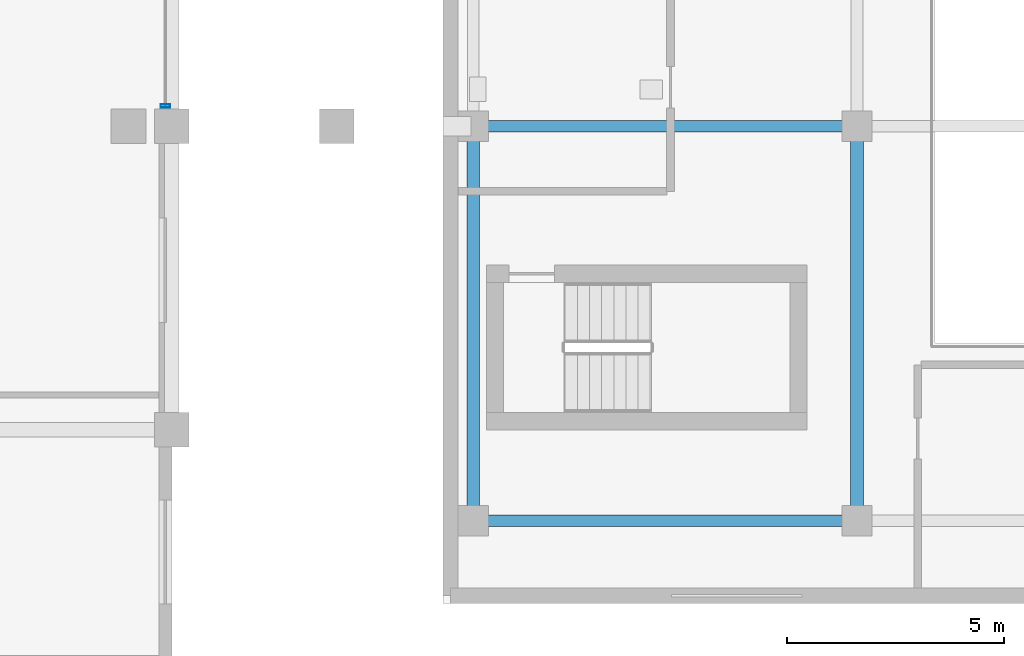
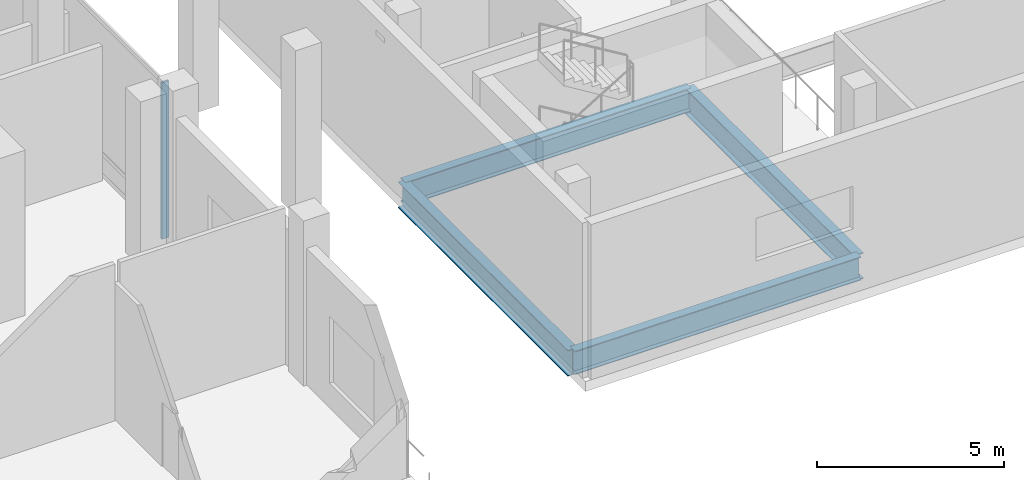
# One storey, part 7 of 32: 4 beams, 1 member, 1 element without a shape of its own.
"""IFC4 building model written with IfcOpenShell, lengths in metres."""

from ifc_helpers import new_model, si_unit, direction, frame, origin, origin_2d, place, context, subcontext, project, spatial, hollow_rectangle, i_section, extrude, material, layer, layer_set, material_profile, profile_set, type_object, element, aggregate, save


model = new_model("IFC4")

# Units and contexts
model_context = context("Model", 3, precision=1e-05, world=origin(), true_north=direction((0.0, 1.0)))
body_context = subcontext(model_context, "Body", "Model", "MODEL_VIEW")
ifc_project = project(units=[si_unit("LENGTHUNIT", "METRE"), si_unit("AREAUNIT", "SQUARE_METRE"), si_unit("VOLUMEUNIT", "CUBIC_METRE"), si_unit("PLANEANGLEUNIT", "RADIAN"), si_unit("MASSUNIT", "GRAM", prefix="KILO")], contexts=[model_context])

# Site, building, storey
site_placement = place(None, origin())
site = spatial("IfcSite", under=ifc_project, at=site_placement, CompositionType="ELEMENT")
building_placement = place(site_placement, origin())
building = spatial("IfcBuilding", under=site, at=building_placement, Name="Barlavira Tower and Art Museum", CompositionType="ELEMENT")
storey_placement = place(building_placement, frame((0.0, 0.0, 6.0)))
storey = spatial("IfcBuildingStorey", under=building, at=storey_placement, Name="L01", CompositionType="ELEMENT", Elevation=6.0)

# Curtain wall, member
ifc_material_1 = material(Name="Low-iron coastal laminated glass", Category="glass")
ifc_layer = layer(ifc_material_1, 0.219970703125, Name="Low-iron coastal laminated glass")
ifc_layer_set = layer_set([ifc_layer], Name="Low-iron coastal laminated glass")
curtain_wall_type = type_object("IfcCurtainWallType", Name="Double-Height Podium Arcade Storefront Curtain Wall", PredefinedType="NOTDEFINED", material=ifc_layer_set)
curtain_wall_placement = place(storey_placement, origin())
curtain_wall = element("IfcCurtainWall", 1, at=curtain_wall_placement, inside=storey, type_object=curtain_wall_type, Name="L01 Curtain Wall CW5-L01-ES", PredefinedType="NOTDEFINED")
ifc_material_2 = material(Name="Pale anodised aluminium", Category="aluminium")
ifc_material_profile_1 = material_profile(ifc_material_2, hollow_rectangle(XDim=0.074951171875, YDim=0.219970703125, WallThickness=0.0048828125, at=origin_2d()), Name="ALU-MULL 75x220x5")
ifc_profile_set_1 = profile_set([ifc_material_profile_1], Name="Pale anodised aluminium")
member_type = type_object("IfcMemberType", Name="Curtain Wall Heavy Pale-Metal Mullion 75x220", PredefinedType="MULLION", material=ifc_profile_set_1)
member_placement = place(storey_placement, frame((22.85009765625, -12.534912109375, 0.0), z_axis=(0.0, 0.0, 1.0), x_axis=(0.0, 1.0, 0.0)))
member = element("IfcMember", 2, at=member_placement, type_object=member_type, Name="CW5-L01-ES Mullion 0", PredefinedType="MULLION", context=body_context, shape_type="SweptSolid", body=[
    extrude(hollow_rectangle(XDim=0.074951171875, YDim=0.219970703125, WallThickness=0.0048828125, at=origin_2d()), origin(), (0.0, 0.0, 1.0), 5.1201171875),
])
aggregate(curtain_wall, [member])

# Beams
ifc_material_3 = material(Name="Steel S355", Category="steel")
ifc_material_profile_2 = material_profile(ifc_material_3, i_section(OverallWidth=0.2939453125, OverallDepth=0.85107421875, WebThickness=0.017333984375, FlangeThickness=0.0283203125, at=origin_2d()), Name="W840x251.0")
ifc_profile_set_2 = profile_set([ifc_material_profile_2], Name="Steel S355")
beam_type_1 = type_object("IfcBeamType", Name="Museum Auditorium Heavy Girder W840x251 Steel S355", PredefinedType="BEAM", material=ifc_profile_set_2)
for number, where, z_axis, x_axis, name in (
    (3, (29.949951171875, -22.10009765625, -0.74560546875), (0.0, 1.0, 0.0), (-1.0, 0.0, 0.0), "L01 Museum Girder Y 1-1"),
    (4, (38.800048828125, -22.10009765625, -0.74560546875), (0.0, 1.0, 0.0), (-1.0, 0.0, 0.0), "L01 Museum Girder Y 2-1"),
):
    element("IfcBeam", number, at=place(storey_placement, frame(where, z_axis=z_axis, x_axis=x_axis)), inside=storey, type_object=beam_type_1, Name=name, PredefinedType="BEAM", context=body_context, shape_type="SweptSolid", body=[
        extrude(i_section(OverallWidth=0.2939453125, OverallDepth=0.85107421875, WebThickness=0.017333984375, FlangeThickness=0.0283203125, at=origin_2d()), origin(), (0.0, 0.0, 1.0), 9.10009765625),
    ])
ifc_material_profile_3 = material_profile(ifc_material_3, i_section(OverallWidth=0.26904296875, OverallDepth=0.76806640625, WebThickness=0.016845703125, FlangeThickness=0.026611328125, at=origin_2d()), Name="W760x220.0")
ifc_profile_set_3 = profile_set([ifc_material_profile_3], Name="Steel S355")
beam_type_2 = type_object("IfcBeamType", Name="Museum Long-Span Gallery Girder W760x220 Steel S355", PredefinedType="BEAM", material=ifc_profile_set_3)
for number, where, z_axis, x_axis, name in (
    (5, (29.949951171875, -22.10009765625, -0.7041015625), (1.0, 0.0, 0.0), (0.0, 1.0, 0.0), "L01 Museum Girder X 1-1"),
    (6, (29.949951171875, -13.0, -0.7041015625), (1.0, 0.0, 0.0), (0.0, 1.0, 0.0), "L01 Museum Girder X 2-1"),
):
    element("IfcBeam", number, at=place(storey_placement, frame(where, z_axis=z_axis, x_axis=x_axis)), inside=storey, type_object=beam_type_2, Name=name, PredefinedType="BEAM", context=body_context, shape_type="SweptSolid", body=[
        extrude(i_section(OverallWidth=0.26904296875, OverallDepth=0.76806640625, WebThickness=0.016845703125, FlangeThickness=0.026611328125, at=origin_2d()), origin(), (0.0, 0.0, 1.0), 8.85009765625),
    ])

save(model, "model.ifc")
